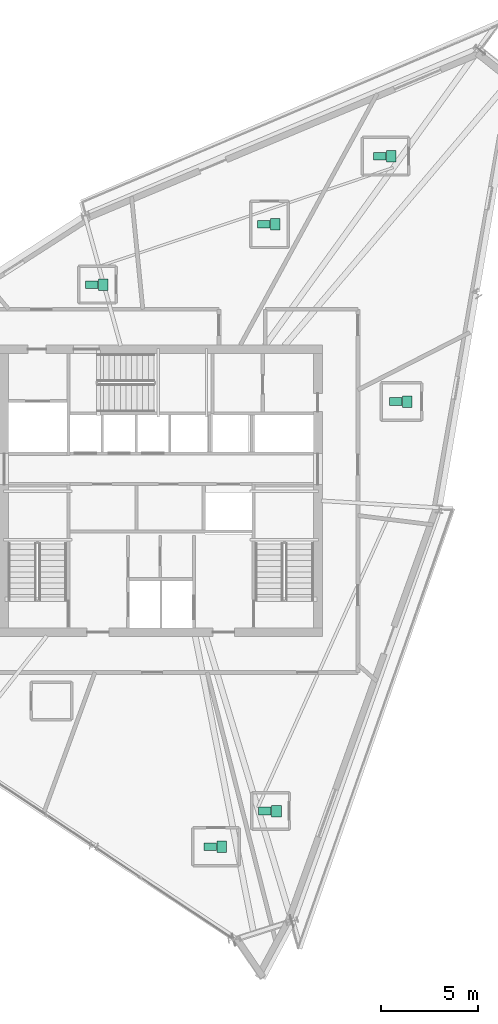
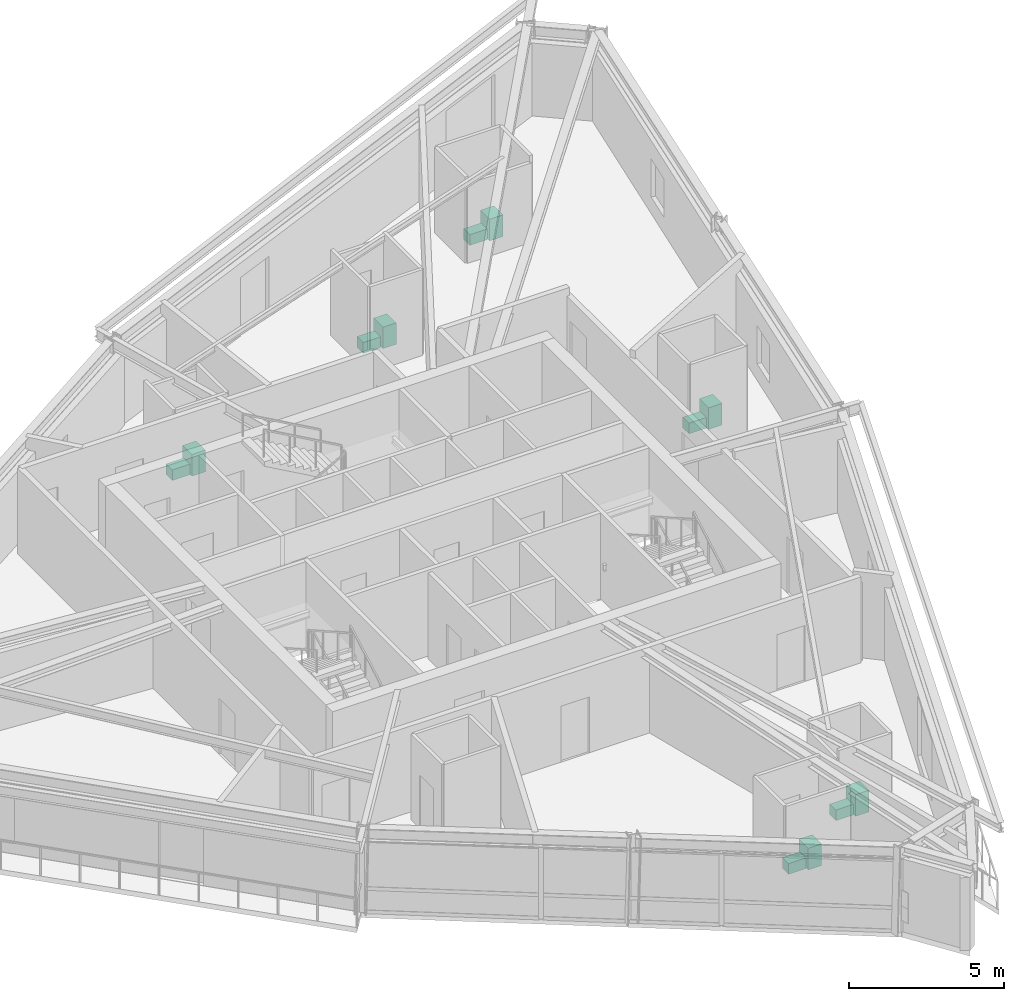
# One storey, part 15 of 15: 12 sanitary terminals.
"""IFC4 building model written with IfcOpenShell, lengths in metres."""

from ifc_helpers import new_model, si_unit, direction, frame, origin, origin_2d, place, context, subcontext, project, spatial, rectangle, extrude, source, transform, mapped, material, type_object, element, save


model = new_model("IFC4")

# Units and contexts
model_context = context("Model", 3, precision=1e-05, world=origin(), true_north=direction((0.0, 1.0)))
body_context = subcontext(model_context, "Body", "Model", "MODEL_VIEW")
ifc_project = project(units=[si_unit("LENGTHUNIT", "METRE"), si_unit("AREAUNIT", "SQUARE_METRE"), si_unit("VOLUMEUNIT", "CUBIC_METRE"), si_unit("PLANEANGLEUNIT", "RADIAN"), si_unit("MASSUNIT", "GRAM", prefix="KILO")], contexts=[model_context])

# Site, building, storey
site_placement = place(None, origin())
site = spatial("IfcSite", under=ifc_project, at=site_placement, CompositionType="ELEMENT")
building_placement = place(site_placement, origin())
building = spatial("IfcBuilding", under=site, at=building_placement, Name="Olszyna Solenne Hotel", CompositionType="ELEMENT")
storey_placement = place(building_placement, frame((0.0, 0.0, 245.300048828125)))
storey = spatial("IfcBuildingStorey", under=building, at=storey_placement, Name="L65", CompositionType="ELEMENT", Elevation=245.300048828125)

# Sanitary terminals
ifc_material = material(Name="Porcelain ceramic")
sanitary_terminal_type_1 = type_object("IfcSanitaryTerminalType", Name="SAN-WC", PredefinedType="TOILETPAN", material=ifc_material)
shared_shape_1 = source(origin(), body_context, "Body", "SweptSolid", [
    extrude(rectangle(XDim=0.64990234375, YDim=0.39990234375, at=origin_2d()), origin(), (0.0, 0.0, 1.0), 0.419921875),
])
for number, where, z_axis, x_axis, name in (
    (1, (40.5458984375, 8.166015625, 0.0), (0.0, 0.0, 1.0), (1.0, 0.0, 0.0), "Wall-hung WC pan WC-0021"),
    (2, (43.376953125, 10.013916015625, 0.0), (0.0, 0.0, 1.0), (1.0, 0.0, 0.0), "Wall-hung WC pan WC-0022"),
    (3, (50.14892578125, 31.218994140625, 0.0), (0.0, 0.0, 1.0), (1.0, 0.0, 0.0), "Wall-hung WC pan WC-0023"),
    (4, (49.330078125, 43.926025390625, 0.0), (0.0, 0.0, 1.0), (1.0, 0.0, 0.0), "Wall-hung WC pan WC-0024"),
    (5, (43.318115234375, 40.39697265625, 0.0), (0.0, 0.0, 1.0), (1.0, 0.0, 0.0), "Wall-hung WC pan WC-0025"),
    (6, (34.406982421875, 37.27294921875, 0.0), (0.0, 0.0, 1.0), (1.0, 0.0, 0.0), "Wall-hung WC pan WC-0026"),
):
    element("IfcSanitaryTerminal", number, at=place(storey_placement, frame(where, z_axis=z_axis, x_axis=x_axis)), inside=storey, type_object=sanitary_terminal_type_1, Name=name, PredefinedType="TOILETPAN", context=body_context, shape_type="MappedRepresentation", body=[
        mapped(shared_shape_1, transform((0.0, 0.0, 0.0), x_axis=(1.0, 0.0, 0.0), y_axis=(0.0, 1.0, 0.0), z_axis=(0.0, 0.0, 1.0), scale=1.0)),
    ])
sanitary_terminal_type_2 = type_object("IfcSanitaryTerminalType", Name="SAN-BS", PredefinedType="WASHHANDBASIN", material=ifc_material)
shared_shape_2 = source(origin(), body_context, "Body", "SweptSolid", [
    extrude(rectangle(XDim=0.5, YDim=0.60009765625, at=origin_2d()), origin(), (0.0, 0.0, 1.0), 0.85009765625),
])
for number, where, z_axis, x_axis, name in (
    (7, (41.14599609375, 8.166015625, 0.0), (0.0, 0.0, 1.0), (1.0, 0.0, 0.0), "Vanity washbasin BS-0021"),
    (8, (43.97705078125, 10.013916015625, 0.0), (0.0, 0.0, 1.0), (1.0, 0.0, 0.0), "Vanity washbasin BS-0022"),
    (9, (50.7490234375, 31.218994140625, 0.0), (0.0, 0.0, 1.0), (1.0, 0.0, 0.0), "Vanity washbasin BS-0023"),
    (10, (49.929931640625, 43.926025390625, 0.0), (0.0, 0.0, 1.0), (1.0, 0.0, 0.0), "Vanity washbasin BS-0024"),
    (11, (43.91796875, 40.39697265625, 0.0), (0.0, 0.0, 1.0), (1.0, 0.0, 0.0), "Vanity washbasin BS-0025"),
    (12, (35.007080078125, 37.27294921875, 0.0), (0.0, 0.0, 1.0), (1.0, 0.0, 0.0), "Vanity washbasin BS-0026"),
):
    element("IfcSanitaryTerminal", number, at=place(storey_placement, frame(where, z_axis=z_axis, x_axis=x_axis)), inside=storey, type_object=sanitary_terminal_type_2, Name=name, PredefinedType="WASHHANDBASIN", context=body_context, shape_type="MappedRepresentation", body=[
        mapped(shared_shape_2, transform((0.0, 0.0, 0.0), x_axis=(1.0, 0.0, 0.0), y_axis=(0.0, 1.0, 0.0), z_axis=(0.0, 0.0, 1.0), scale=1.0)),
    ])

save(model, "model.ifc")
